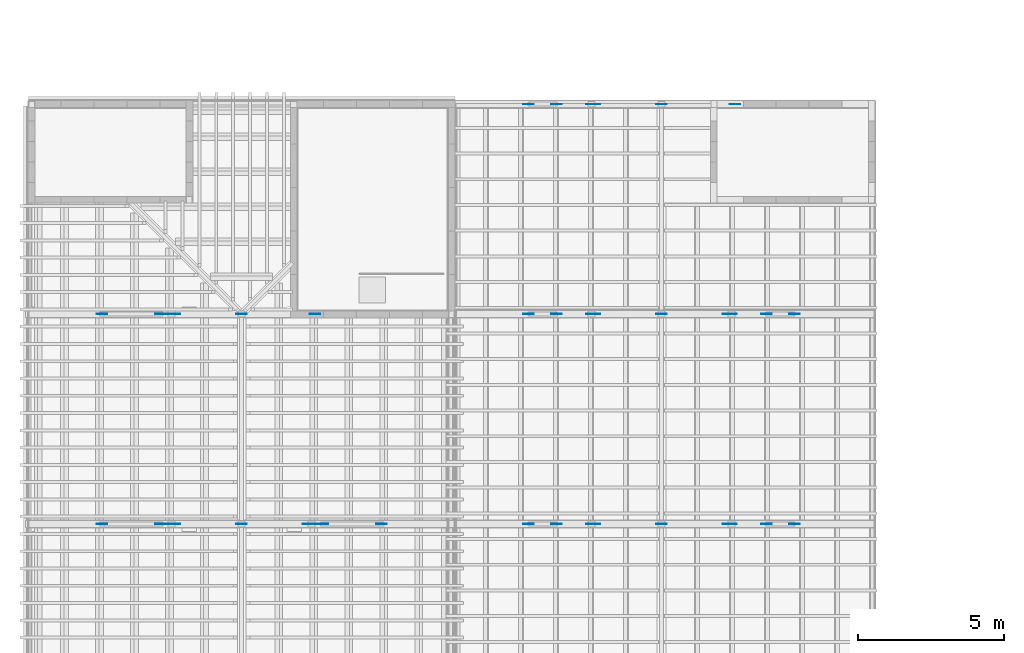
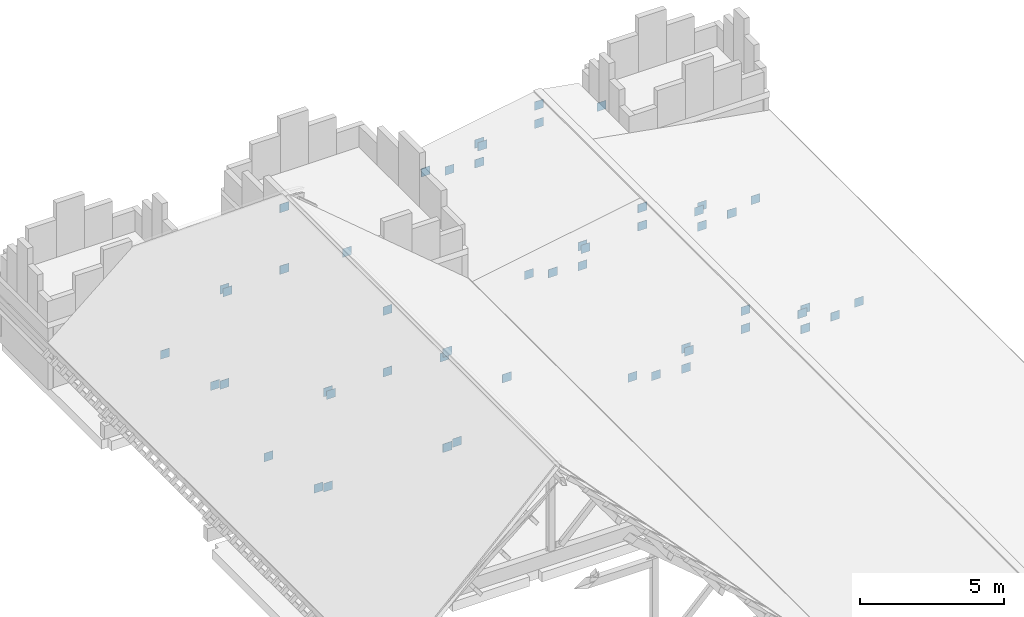
# One storey, part 20 of 28: 52 discrete accessories.
"""IFC4 building model written with IfcOpenShell, lengths in metres."""

from ifc_helpers import new_model, si_unit, direction, frame, origin, origin_2d, place, context, subcontext, project, spatial, rectangle, extrude, material, type_object, element, save


model = new_model("IFC4")

# Units and contexts
model_context = context("Model", 3, precision=1e-05, world=origin(), true_north=direction((0.0, 1.0)))
body_context = subcontext(model_context, "Body", "Model", "MODEL_VIEW")
ifc_project = project(units=[si_unit("LENGTHUNIT", "METRE"), si_unit("AREAUNIT", "SQUARE_METRE"), si_unit("VOLUMEUNIT", "CUBIC_METRE"), si_unit("PLANEANGLEUNIT", "RADIAN"), si_unit("MASSUNIT", "GRAM", prefix="KILO")], contexts=[model_context])

# Site, building, storey
site_placement = place(None, origin())
site = spatial("IfcSite", under=ifc_project, at=site_placement, CompositionType="ELEMENT")
building_placement = place(site_placement, origin())
building = spatial("IfcBuilding", under=site, at=building_placement, Name="Mazhai Court Health Centre", CompositionType="ELEMENT")
storey_placement = place(building_placement, frame((0.0, 0.0, 18.0)))
storey = spatial("IfcBuildingStorey", under=building, at=storey_placement, Name="RF", CompositionType="ELEMENT", Elevation=18.0)

# Discrete accessories
ifc_material = material(Name="Steel IS 2062 E250", Category="steel")
discrete_accessory_type = type_object("IfcDiscreteAccessoryType", Name="TRUSS NODE PLATE 12", PredefinedType="BRACKET", material=ifc_material)
for number, where, z_axis, x_axis, name in (
    (1, (15.800048828125, 27.800048828125, 0.3798828125), (0.0, 0.0, 1.0), (1.0, 0.0, 0.0), "Node plate Post TV2-3-P1 end a"),
    (2, (15.800048828125, 27.800048828125, 4.4306640625), (0.0, 0.0, 1.0), (1.0, 0.0, 0.0), "Node plate Post TV2-3-P1 end b"),
    (3, (11.0, 27.800048828125, 0.3798828125), (0.0, 0.0, 1.0), (1.0, 0.0, 0.0), "Node plate Post TV2-3-P2 end a"),
    (4, (11.0, 27.800048828125, 4.4306640625), (0.0, 0.0, 1.0), (1.0, 0.0, 0.0), "Node plate Post TV2-3-P2 end b"),
    (5, (15.679931640625, 27.800048828125, 4.27099609375), (0.0, 0.0, 1.0), (1.0, 0.0, 0.0), "Node plate Collar TV2-3-SB1 end a"),
    (6, (11.1201171875, 27.800048828125, 4.27099609375), (0.0, 0.0, 1.0), (1.0, 0.0, 0.0), "Node plate Collar TV2-3-SB1 end b"),
    (7, (13.39990234375, 27.800048828125, 4.4306640625), (0.0, 0.0, 1.0), (1.0, 0.0, 0.0), "Node plate Post TV2-3-P3 end a"),
    (8, (13.39990234375, 27.800048828125, 7.05029296875), (0.0, 0.0, 1.0), (1.0, 0.0, 0.0), "Node plate Post TV2-3-P3 end b"),
    (9, (16.18408203125, 27.800048828125, 0.46435546875), (0.0, 0.0, 1.0), (1.0, 0.0, 0.0), "Node plate Strut TV2-3-S1 end a"),
    (10, (18.193359375, 27.800048828125, 2.5), (0.0, 0.0, 1.0), (1.0, 0.0, 0.0), "Node plate Strut TV2-3-S1 end b"),
    (11, (10.615966796875, 27.800048828125, 0.46435546875), (0.0, 0.0, 1.0), (1.0, 0.0, 0.0), "Node plate Strut TV2-3-S2 end a"),
    (12, (8.606689453125, 27.800048828125, 2.5), (0.0, 0.0, 1.0), (1.0, 0.0, 0.0), "Node plate Strut TV2-3-S2 end b"),
    (13, (11.0, 35.0, 0.3798828125), (0.0, 0.0, 1.0), (1.0, 0.0, 0.0), "Node plate Post TV2-4-P2 end a"),
    (14, (11.0, 35.0, 4.4306640625), (0.0, 0.0, 1.0), (1.0, 0.0, 0.0), "Node plate Post TV2-4-P2 end b"),
    (15, (15.919921875, 35.0, 4.27099609375), (0.0, 0.0, 1.0), (1.0, 0.0, 0.0), "Node plate Collar TV2-4-SB1 end a"),
    (16, (11.1201171875, 35.0, 4.27099609375), (0.0, 0.0, 1.0), (1.0, 0.0, 0.0), "Node plate Collar TV2-4-SB1 end b"),
    (17, (13.39990234375, 35.0, 4.4306640625), (0.0, 0.0, 1.0), (1.0, 0.0, 0.0), "Node plate Post TV2-4-P3 end a"),
    (18, (13.39990234375, 35.0, 7.05029296875), (0.0, 0.0, 1.0), (1.0, 0.0, 0.0), "Node plate Post TV2-4-P3 end b"),
    (19, (10.615966796875, 35.0, 0.46435546875), (0.0, 0.0, 1.0), (1.0, 0.0, 0.0), "Node plate Strut TV2-4-S2 end a"),
    (20, (8.606689453125, 35.0, 2.5), (0.0, 0.0, 1.0), (1.0, 0.0, 0.0), "Node plate Strut TV2-4-S2 end b"),
    (21, (30.199951171875, 27.800048828125, 0.3798828125), (0.0, 0.0, 1.0), (1.0, 0.0, 0.0), "Node plate Post TV5-4-P1 end a"),
    (22, (30.199951171875, 27.800048828125, 1.2265625), (0.0, 0.0, 1.0), (1.0, 0.0, 0.0), "Node plate Post TV5-4-P1 end b"),
    (23, (25.39990234375, 27.800048828125, 0.3798828125), (0.0, 0.0, 1.0), (1.0, 0.0, 0.0), "Node plate Post TV5-4-P2 end a"),
    (24, (25.39990234375, 27.800048828125, 1.2265625), (0.0, 0.0, 1.0), (1.0, 0.0, 0.0), "Node plate Post TV5-4-P2 end b"),
    (25, (30.080078125, 27.800048828125, 1.06640625), (0.0, 0.0, 1.0), (1.0, 0.0, 0.0), "Node plate Collar TV5-4-SB1 end a"),
    (26, (25.52001953125, 27.800048828125, 1.06640625), (0.0, 0.0, 1.0), (1.0, 0.0, 0.0), "Node plate Collar TV5-4-SB1 end b"),
    (27, (27.800048828125, 27.800048828125, 1.2265625), (0.0, 0.0, 1.0), (1.0, 0.0, 0.0), "Node plate Post TV5-4-P3 end a"),
    (28, (27.800048828125, 27.800048828125, 1.99951171875), (0.0, 0.0, 1.0), (1.0, 0.0, 0.0), "Node plate Post TV5-4-P3 end b"),
    (29, (31.4013671875, 27.800048828125, 0.49560546875), (0.0, 0.0, 1.0), (1.0, 0.0, 0.0), "Node plate Strut TV5-4-S1 end a"),
    (30, (32.35546875, 27.800048828125, 0.75732421875), (0.0, 0.0, 1.0), (1.0, 0.0, 0.0), "Node plate Strut TV5-4-S1 end b"),
    (31, (24.19873046875, 27.800048828125, 0.49560546875), (0.0, 0.0, 1.0), (1.0, 0.0, 0.0), "Node plate Strut TV5-4-S2 end a"),
    (32, (23.244384765625, 27.800048828125, 0.75732421875), (0.0, 0.0, 1.0), (1.0, 0.0, 0.0), "Node plate Strut TV5-4-S2 end b"),
    (33, (30.199951171875, 35.0, 0.3798828125), (0.0, 0.0, 1.0), (1.0, 0.0, 0.0), "Node plate Post TV5-5-P1 end a"),
    (34, (30.199951171875, 35.0, 1.2265625), (0.0, 0.0, 1.0), (1.0, 0.0, 0.0), "Node plate Post TV5-5-P1 end b"),
    (35, (25.39990234375, 35.0, 0.3798828125), (0.0, 0.0, 1.0), (1.0, 0.0, 0.0), "Node plate Post TV5-5-P2 end a"),
    (36, (25.39990234375, 35.0, 1.2265625), (0.0, 0.0, 1.0), (1.0, 0.0, 0.0), "Node plate Post TV5-5-P2 end b"),
    (37, (30.080078125, 35.0, 1.06640625), (0.0, 0.0, 1.0), (1.0, 0.0, 0.0), "Node plate Collar TV5-5-SB1 end a"),
    (38, (25.52001953125, 35.0, 1.06640625), (0.0, 0.0, 1.0), (1.0, 0.0, 0.0), "Node plate Collar TV5-5-SB1 end b"),
    (39, (27.800048828125, 35.0, 1.2265625), (0.0, 0.0, 1.0), (1.0, 0.0, 0.0), "Node plate Post TV5-5-P3 end a"),
    (40, (27.800048828125, 35.0, 1.99951171875), (0.0, 0.0, 1.0), (1.0, 0.0, 0.0), "Node plate Post TV5-5-P3 end b"),
    (41, (31.4013671875, 35.0, 0.49560546875), (0.0, 0.0, 1.0), (1.0, 0.0, 0.0), "Node plate Strut TV5-5-S1 end a"),
    (42, (32.35546875, 35.0, 0.75732421875), (0.0, 0.0, 1.0), (1.0, 0.0, 0.0), "Node plate Strut TV5-5-S1 end b"),
    (43, (24.19873046875, 35.0, 0.49560546875), (0.0, 0.0, 1.0), (1.0, 0.0, 0.0), "Node plate Strut TV5-5-S2 end a"),
    (44, (23.244384765625, 35.0, 0.75732421875), (0.0, 0.0, 1.0), (1.0, 0.0, 0.0), "Node plate Strut TV5-5-S2 end b"),
    (45, (25.39990234375, 42.199951171875, 0.3798828125), (0.0, 0.0, 1.0), (1.0, 0.0, 0.0), "Node plate Post TV5-6-P2 end a"),
    (46, (25.39990234375, 42.199951171875, 1.2265625), (0.0, 0.0, 1.0), (1.0, 0.0, 0.0), "Node plate Post TV5-6-P2 end b"),
    (47, (30.320068359375, 42.199951171875, 1.06640625), (0.0, 0.0, 1.0), (1.0, 0.0, 0.0), "Node plate Collar TV5-6-SB1 end a"),
    (48, (25.52001953125, 42.199951171875, 1.06640625), (0.0, 0.0, 1.0), (1.0, 0.0, 0.0), "Node plate Collar TV5-6-SB1 end b"),
    (49, (27.800048828125, 42.199951171875, 1.2265625), (0.0, 0.0, 1.0), (1.0, 0.0, 0.0), "Node plate Post TV5-6-P3 end a"),
    (50, (27.800048828125, 42.199951171875, 1.99951171875), (0.0, 0.0, 1.0), (1.0, 0.0, 0.0), "Node plate Post TV5-6-P3 end b"),
    (51, (24.19873046875, 42.199951171875, 0.49560546875), (0.0, 0.0, 1.0), (1.0, 0.0, 0.0), "Node plate Strut TV5-6-S2 end a"),
    (52, (23.244384765625, 42.199951171875, 0.75732421875), (0.0, 0.0, 1.0), (1.0, 0.0, 0.0), "Node plate Strut TV5-6-S2 end b"),
):
    element("IfcDiscreteAccessory", number, at=place(storey_placement, frame(where, z_axis=z_axis, x_axis=x_axis)), inside=storey, type_object=discrete_accessory_type, Name=name, PredefinedType="BRACKET", context=body_context, shape_type="SweptSolid", body=[
        extrude(rectangle(XDim=0.360107421875, YDim=0.011962890625, at=origin_2d()), origin(), (0.0, 0.0, 1.0), 0.360107421875),
    ])

save(model, "model.ifc")
